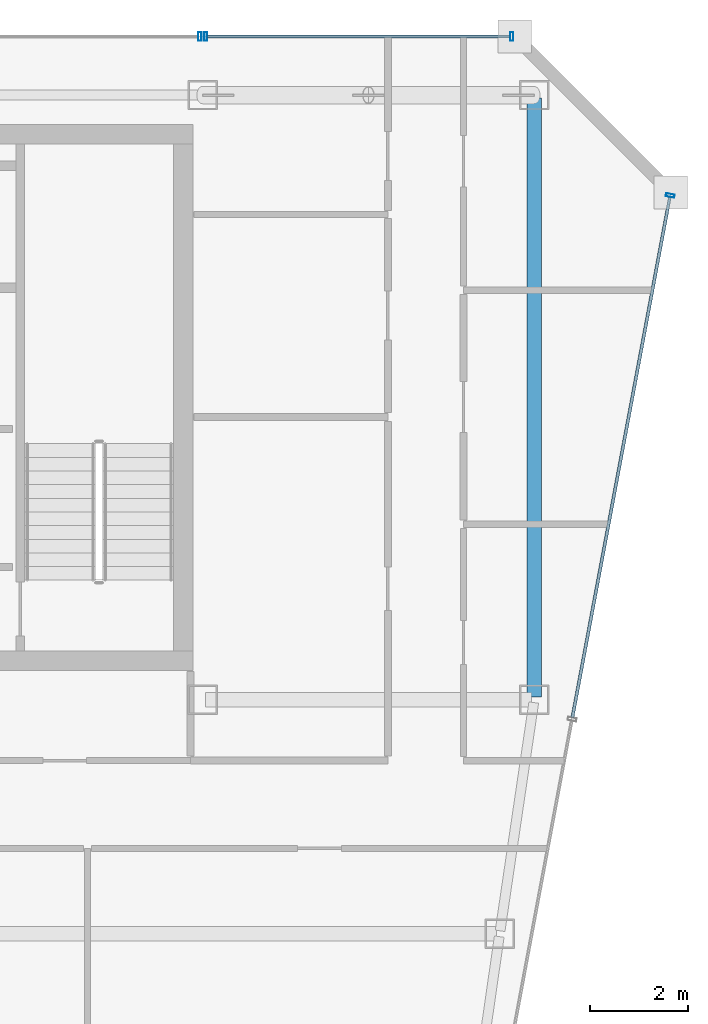
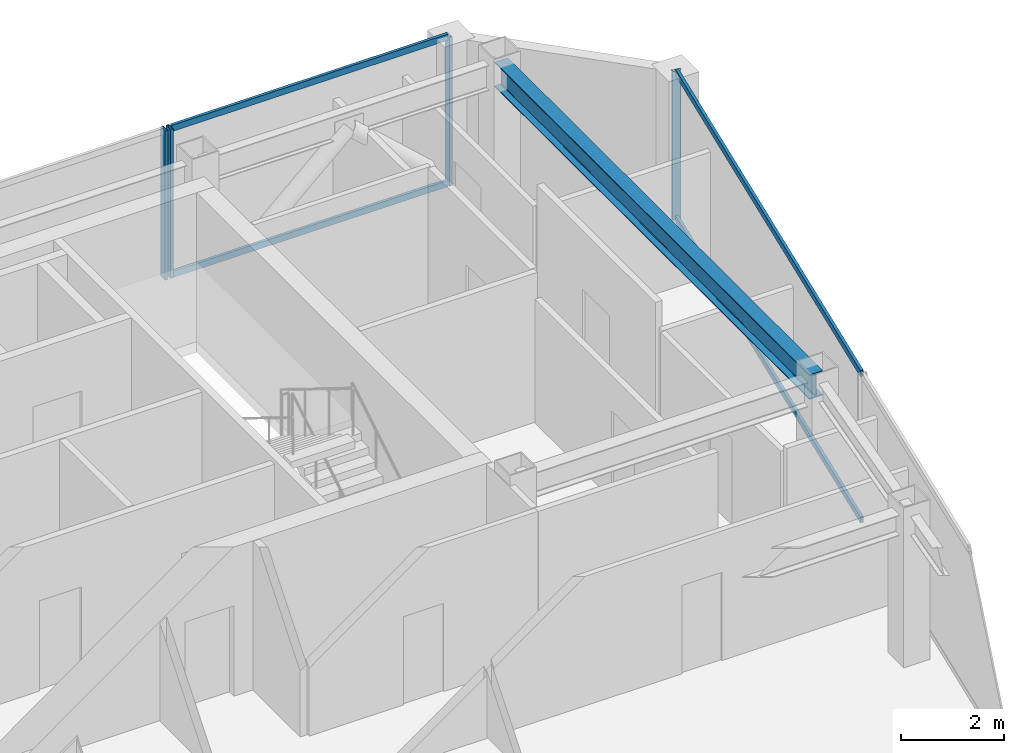
# One storey, part 16 of 22: 8 members, 1 beam, 3 elements without a shape of their own.
"""IFC4 building model written with IfcOpenShell, lengths in metres."""

from ifc_helpers import new_model, si_unit, direction, frame, origin, origin_2d, place, context, subcontext, project, spatial, hollow_rectangle, i_section, extrude, material, material_profile, profile_set, type_object, element, aggregate, save


model = new_model("IFC4")

# Units and contexts
model_context = context("Model", 3, precision=1e-05, world=origin(), true_north=direction((0.0, 1.0)))
body_context = subcontext(model_context, "Body", "Model", "MODEL_VIEW")
ifc_project = project(units=[si_unit("LENGTHUNIT", "METRE"), si_unit("AREAUNIT", "SQUARE_METRE"), si_unit("VOLUMEUNIT", "CUBIC_METRE"), si_unit("PLANEANGLEUNIT", "RADIAN"), si_unit("MASSUNIT", "GRAM", prefix="KILO")], contexts=[model_context])

# Site, building, storey
site_placement = place(None, origin())
site = spatial("IfcSite", under=ifc_project, at=site_placement, CompositionType="ELEMENT")
building_placement = place(site_placement, origin())
building = spatial("IfcBuilding", under=site, at=building_placement, Name="Saevonmaru Cultural Tower", CompositionType="ELEMENT")
storey_placement = place(building_placement, frame((0.0, 0.0, 287.60009765625)))
storey = spatial("IfcBuildingStorey", under=building, at=storey_placement, Name="L68", CompositionType="ELEMENT", Elevation=287.60009765625)

# Beam
ifc_material_1 = material(Name="Steel SM355", Category="steel")
ifc_material_profile_1 = material_profile(ifc_material_1, i_section(OverallWidth=0.300048828125, OverallDepth=0.587890625, WebThickness=0.011962890625, FlangeThickness=0.02001953125, FilletRadius=0.02392578125, at=origin_2d()), Name="H-588x300x12x20")
ifc_profile_set_1 = profile_set([ifc_material_profile_1], Name="Steel SM355")
beam_type = type_object("IfcBeamType", Name="BM-G-H588", PredefinedType="BEAM", material=ifc_profile_set_1)
beam_placement = place(storey_placement, frame((53.199951171875, 54.739990234375, 3.255859375), z_axis=(0.0, -1.0, 0.0), x_axis=(1.0, 0.0, 0.0)))
element("IfcBeam", 1, at=beam_placement, inside=storey, type_object=beam_type, Name="L68 Spine Transverse Girder E", PredefinedType="BEAM", context=body_context, shape_type="SweptSolid", body=[
    extrude(i_section(OverallWidth=0.300048828125, OverallDepth=0.587890625, WebThickness=0.011962890625, FlangeThickness=0.02001953125, FilletRadius=0.02392578125, at=origin_2d()), origin(), (0.0, 0.0, 1.0), 12.280029296875),
])

# Curtain wall, member
ifc_material_2 = material(Name="Satin Bronze Anodised Aluminium", Category="aluminium")
curtain_wall_type = type_object("IfcCurtainWallType", Name="CW-TYP-B", PredefinedType="NOTDEFINED", material=ifc_material_2)
curtain_wall_1_placement = place(storey_placement, origin())
curtain_wall_1 = element("IfcCurtainWall", 2, at=curtain_wall_1_placement, inside=storey, type_object=curtain_wall_type, Name="L68 Unitised Curtain Wall E8", PredefinedType="NOTDEFINED")
ifc_material_profile_2 = material_profile(ifc_material_2, hollow_rectangle(XDim=0.06494140625, YDim=0.179931640625, WallThickness=0.00390625, at=origin_2d()), Name="ALU-MULL-180x65x4")
ifc_profile_set_2 = profile_set([ifc_material_profile_2], Name="Satin Bronze Anodised Aluminium")
member_type_1 = type_object("IfcMemberType", Name="ML-CW-180x65", PredefinedType="MULLION", material=ifc_profile_set_2)
member_1_placement = place(storey_placement, frame((55.989013671875, 52.740966796875, 0.0), z_axis=(0.0, 0.0, 1.0), x_axis=(0.184046528232, 0.982917532373, 0.0)))
member_1 = element("IfcMember", 3, at=member_1_placement, type_object=member_type_1, Name="CW-TW-L68-E8 mullion 3", PredefinedType="MULLION", context=body_context, shape_type="SweptSolid", body=[
    extrude(hollow_rectangle(XDim=0.06494140625, YDim=0.179931640625, WallThickness=0.00390625, at=origin_2d()), origin(), (0.0, 0.0, 1.0), 3.5498046875),
])

# Curtain wall, members
curtain_wall_2_placement = place(storey_placement, origin())
curtain_wall_2 = element("IfcCurtainWall", 4, at=curtain_wall_2_placement, inside=storey, type_object=curtain_wall_type, Name="L68 East Braced Bay Spandrel Curtain Wall E10A", PredefinedType="NOTDEFINED")
member_2_placement = place(storey_placement, frame((52.739990234375, 56.0, 0.0), z_axis=(0.0, 0.0, 1.0), x_axis=(-1.0, 0.0, 0.0)))
member_2 = element("IfcMember", 5, at=member_2_placement, type_object=member_type_1, Name="CW-TW-L68-E10A mullion 1", PredefinedType="MULLION", context=body_context, shape_type="SweptSolid", body=[
    extrude(hollow_rectangle(XDim=0.06494140625, YDim=0.179931640625, WallThickness=0.00390625, at=origin_2d()), origin(), (0.0, 0.0, 1.0), 3.5498046875),
])
member_3_placement = place(storey_placement, frame((46.4599609375, 56.0, 0.0), z_axis=(0.0, 0.0, 1.0), x_axis=(-1.0, 0.0, 0.0)))
member_3 = element("IfcMember", 6, at=member_3_placement, type_object=member_type_1, Name="CW-TW-L68-E10A mullion 2", PredefinedType="MULLION", context=body_context, shape_type="SweptSolid", body=[
    extrude(hollow_rectangle(XDim=0.06494140625, YDim=0.179931640625, WallThickness=0.00390625, at=origin_2d()), origin(), (0.0, 0.0, 1.0), 3.5498046875),
])

# Curtain wall, member
curtain_wall_3_placement = place(storey_placement, origin())
curtain_wall_3 = element("IfcCurtainWall", 7, at=curtain_wall_3_placement, inside=storey, type_object=curtain_wall_type, Name="L68 North Spine Unitised Curtain Wall E10B", PredefinedType="NOTDEFINED")
member_4_placement = place(storey_placement, frame((46.340087890625, 56.0, 0.0), z_axis=(0.0, 0.0, 1.0), x_axis=(-1.0, 0.0, 0.0)))
member_4 = element("IfcMember", 8, at=member_4_placement, type_object=member_type_1, Name="CW-TW-L68-E10B mullion 1", PredefinedType="MULLION", context=body_context, shape_type="SweptSolid", body=[
    extrude(hollow_rectangle(XDim=0.06494140625, YDim=0.179931640625, WallThickness=0.00390625, at=origin_2d()), origin(), (0.0, 0.0, 1.0), 3.5498046875),
])
aggregate(curtain_wall_3, [member_4])

# Member
ifc_material_profile_3 = material_profile(ifc_material_2, hollow_rectangle(XDim=0.06494140625, YDim=0.14990234375, WallThickness=0.00390625, at=origin_2d()), Name="ALU-TRAN-150x65x4")
ifc_profile_set_3 = profile_set([ifc_material_profile_3], Name="Satin Bronze Anodised Aluminium")
member_type_2 = type_object("IfcMemberType", Name="TR-CW-150x65", PredefinedType="USERDEFINED", material=ifc_profile_set_3)
member_5_placement = place(storey_placement, frame((53.98388671875, 42.031982421875, 0.032470703125), z_axis=(0.184029339557, 0.982920750713, 0.0), x_axis=(-0.982920750713, 0.184029339557, 0.0)))
member_5 = element("IfcMember", 9, at=member_5_placement, type_object=member_type_2, Name="CW-TW-L68-E8 transom 2.1", ObjectType="TRANSOM", PredefinedType="USERDEFINED", context=body_context, shape_type="SweptSolid", body=[
    extrude(hollow_rectangle(XDim=0.06494140625, YDim=0.14990234375, WallThickness=0.00390625, at=origin_2d()), origin(), (0.0, 0.0, 1.0), 10.862548828125),
])

member_6_placement = place(storey_placement, frame((53.98388671875, 42.031982421875, 3.517333984375), z_axis=(0.184029339557, 0.982920750713, 0.0), x_axis=(-0.982920750713, 0.184029339557, 0.0)))
member_6 = element("IfcMember", 10, at=member_6_placement, type_object=member_type_2, Name="CW-TW-L68-E8 transom 2.2", ObjectType="TRANSOM", PredefinedType="USERDEFINED", context=body_context, shape_type="SweptSolid", body=[
    extrude(hollow_rectangle(XDim=0.06494140625, YDim=0.14990234375, WallThickness=0.00390625, at=origin_2d()), origin(), (0.0, 0.0, 1.0), 10.862548828125),
])

aggregate(curtain_wall_1, [member_1, member_5, member_6])

member_7_placement = place(storey_placement, frame((52.70751953125, 56.0, 0.032470703125), z_axis=(-1.0, 0.0, 0.0), x_axis=(0.0, -1.0, 0.0)))
member_7 = element("IfcMember", 11, at=member_7_placement, type_object=member_type_2, Name="CW-TW-L68-E10A transom 1.1", ObjectType="TRANSOM", PredefinedType="USERDEFINED", context=body_context, shape_type="SweptSolid", body=[
    extrude(hollow_rectangle(XDim=0.06494140625, YDim=0.14990234375, WallThickness=0.00390625, at=origin_2d()), origin(), (0.0, 0.0, 1.0), 6.215087890625),
])

member_8_placement = place(storey_placement, frame((52.70751953125, 56.0, 3.517333984375), z_axis=(-1.0, 0.0, 0.0), x_axis=(0.0, -1.0, 0.0)))
member_8 = element("IfcMember", 12, at=member_8_placement, type_object=member_type_2, Name="CW-TW-L68-E10A transom 1.2", ObjectType="TRANSOM", PredefinedType="USERDEFINED", context=body_context, shape_type="SweptSolid", body=[
    extrude(hollow_rectangle(XDim=0.06494140625, YDim=0.14990234375, WallThickness=0.00390625, at=origin_2d()), origin(), (0.0, 0.0, 1.0), 6.215087890625),
])

aggregate(curtain_wall_2, [member_2, member_3, member_7, member_8])

save(model, "model.ifc")
